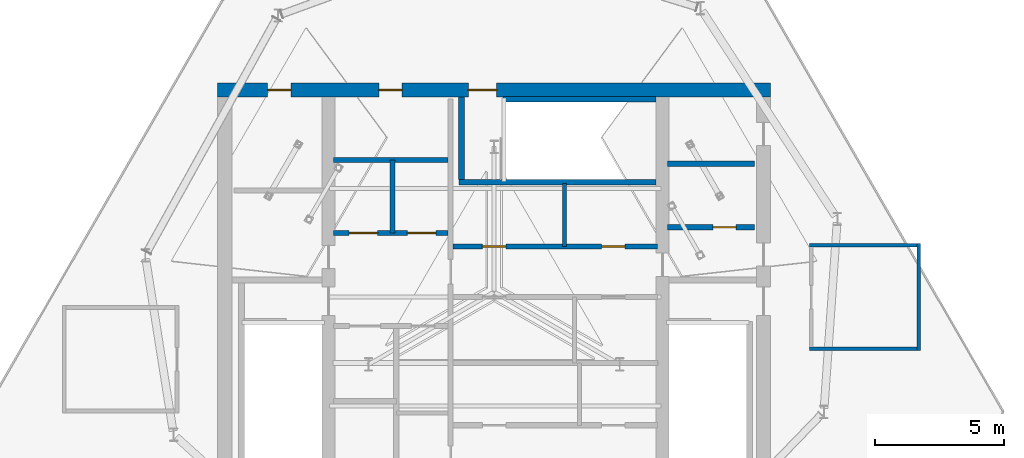
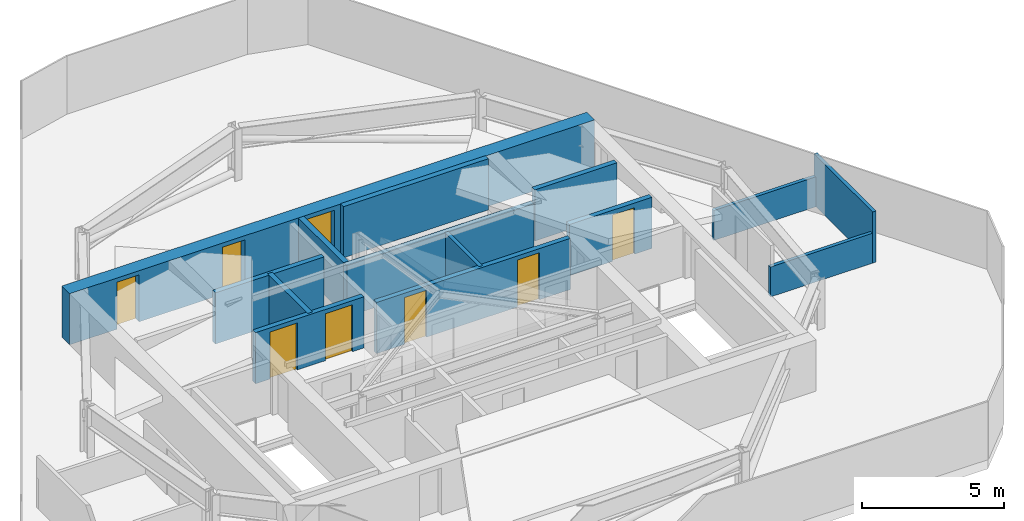
# One storey, part 8 of 9: 14 walls, 8 doors, 8 openings.
"""IFC4 building model written with IfcOpenShell, lengths in metres."""

from ifc_helpers import new_model, si_unit, direction, frame, frame_2d, origin, place, context, subcontext, project, spatial, rectangle, extrude, material, layer, layer_set, type_object, element, fill, save


model = new_model("IFC4")

# Units and contexts
model_context = context("Model", 3, precision=1e-05, world=origin(), true_north=direction((0.0, 1.0)))
body_context = subcontext(model_context, "Body", "Model", "MODEL_VIEW")
ifc_project = project(units=[si_unit("LENGTHUNIT", "METRE"), si_unit("AREAUNIT", "SQUARE_METRE"), si_unit("VOLUMEUNIT", "CUBIC_METRE"), si_unit("PLANEANGLEUNIT", "RADIAN"), si_unit("MASSUNIT", "GRAM", prefix="KILO")], contexts=[model_context])

# Site, building, storey
site_placement = place(None, origin())
site = spatial("IfcSite", under=ifc_project, at=site_placement, CompositionType="ELEMENT")
building_placement = place(site_placement, origin())
building = spatial("IfcBuilding", under=site, at=building_placement, Name="Qarnah Convention Tower", CompositionType="ELEMENT")
storey_placement = place(building_placement, frame((0.0, 0.0, 292.89990234375)))
storey = spatial("IfcBuildingStorey", under=building, at=storey_placement, Name="L79", CompositionType="ELEMENT", Elevation=292.89990234375)

# Wall, openings, doors
ifc_material_1 = material(Name="Concrete C60/75", Category="concrete")
ifc_layer_1 = layer(ifc_material_1, 0.550048828125)
ifc_layer_set_1 = layer_set([ifc_layer_1], Name="Concrete C60/75")
wall_type_1 = type_object("IfcWallType", Name="WL-CORE-550", PredefinedType="SHEAR", material=ifc_layer_set_1)
wall_1_placement = place(storey_placement, frame((26.52490234375, 34.199951171875, 0.0), z_axis=(0.0, 0.0, 1.0), x_axis=(1.0, 0.0, 0.0)))
wall_1 = element("IfcWall", 1, at=wall_1_placement, inside=storey, type_object=wall_type_1, Name="L79 core north shear wall", PredefinedType="SHEAR", context=body_context, shape_type="SweptSolid", body=[
    extrude(rectangle(XDim=21.35009765625, YDim=0.550048828125, at=frame_2d((10.675048828125, 0.0))), origin(), (0.0, 0.0, 1.0), 2.2001953125),
])
opening_1_placement = place(wall_1_placement, frame((9.675048828125, 0.0, 0.0)))
opening_1 = element("IfcOpeningElement", 2, at=opening_1_placement, cuts=wall_1, Name="Opening D-7903", PredefinedType="OPENING", context=body_context, shape_type="SweptSolid", body=[
    extrude(rectangle(XDim=1.10009765625, YDim=2.02001953125, at=frame_2d((0.550048828125, 1.010009765625))), frame((0.0, 0.284912109375, 0.0), z_axis=(0.0, -1.0, 0.0), x_axis=(1.0, 0.0, 0.0)), (0.0, 0.0, 1.0), 0.570068359375),
])
opening_2_placement = place(wall_1_placement, frame((1.925048828125, 0.0, 0.0)))
opening_2 = element("IfcOpeningElement", 3, at=opening_2_placement, cuts=wall_1, Name="Opening D-7909", PredefinedType="OPENING", context=body_context, shape_type="SweptSolid", body=[
    extrude(rectangle(XDim=0.89990234375, YDim=2.02001953125, at=frame_2d((0.449951171875, 1.010009765625))), frame((0.0, 0.284912109375, 0.0), z_axis=(0.0, -1.0, 0.0), x_axis=(1.0, 0.0, 0.0)), (0.0, 0.0, 1.0), 0.570068359375),
])
opening_3_placement = place(wall_1_placement, frame((6.22509765625, 0.0, 0.0)))
opening_3 = element("IfcOpeningElement", 4, at=opening_3_placement, cuts=wall_1, Name="Opening D-7910", PredefinedType="OPENING", context=body_context, shape_type="SweptSolid", body=[
    extrude(rectangle(XDim=0.89990234375, YDim=2.02001953125, at=frame_2d((0.449951171875, 1.010009765625))), frame((0.0, 0.284912109375, 0.0), z_axis=(0.0, -1.0, 0.0), x_axis=(1.0, 0.0, 0.0)), (0.0, 0.0, 1.0), 0.570068359375),
])
ifc_material_2 = material(Name="Structural steel S355JR", Category="steel")
door_type_1 = type_object("IfcDoorType", Name="DT-RISER-900", OperationType="NOTDEFINED", PredefinedType="DOOR", material=ifc_material_2)
door_1_placement = place(opening_2_placement, origin())
door_1 = element("IfcDoor", 5, at=door_1_placement, inside=storey, type_object=door_type_1, Name="Door D-7909", OperationType="SINGLE_SWING_LEFT", OverallHeight=2.02001953125, OverallWidth=0.89990234375, PredefinedType="DOOR", context=body_context, shape_type="SweptSolid", body=[
    extrude(rectangle(XDim=0.89990234375, YDim=2.02001953125, at=frame_2d((0.449951171875, 1.010009765625))), frame((0.0, 0.02490234375, 0.0), z_axis=(0.0, -1.0, 0.0), x_axis=(1.0, 0.0, 0.0)), (0.0, 0.0, 1.0), 0.050048828125),
])
fill(opening_2, door_1)
door_2_placement = place(opening_3_placement, origin())
door_2 = element("IfcDoor", 6, at=door_2_placement, inside=storey, type_object=door_type_1, Name="Door D-7910", OperationType="SINGLE_SWING_RIGHT", OverallHeight=2.02001953125, OverallWidth=0.89990234375, PredefinedType="DOOR", context=body_context, shape_type="SweptSolid", body=[
    extrude(rectangle(XDim=0.89990234375, YDim=2.02001953125, at=frame_2d((0.449951171875, 1.010009765625))), frame((0.0, 0.02490234375, 0.0), z_axis=(0.0, -1.0, 0.0), x_axis=(1.0, 0.0, 0.0)), (0.0, 0.0, 1.0), 0.050048828125),
])
fill(opening_3, door_2)
door_type_2 = type_object("IfcDoorType", Name="DT-STAIR-1100", OperationType="NOTDEFINED", PredefinedType="DOOR", material=ifc_material_2)
door_3_placement = place(opening_1_placement, origin())
door_3 = element("IfcDoor", 7, at=door_3_placement, inside=storey, type_object=door_type_2, Name="Door D-7903", OperationType="SINGLE_SWING_LEFT", OverallHeight=2.02001953125, OverallWidth=1.10009765625, PredefinedType="DOOR", context=body_context, shape_type="SweptSolid", body=[
    extrude(rectangle(XDim=1.10009765625, YDim=2.02001953125, at=frame_2d((0.550048828125, 1.010009765625))), frame((0.0, 0.02490234375, 0.0), z_axis=(0.0, -1.0, 0.0), x_axis=(1.0, 0.0, 0.0)), (0.0, 0.0, 1.0), 0.050048828125),
])
fill(opening_1, door_3)

# Wall, opening, door
ifc_material_3 = material(Name="Concrete C45/55", Category="concrete")
ifc_layer_2 = layer(ifc_material_3, 0.199951171875)
ifc_layer_set_2 = layer_set([ifc_layer_2], Name="Concrete C45/55")
wall_type_2 = type_object("IfcWallType", Name="WL-CORE-PART-200", PredefinedType="SOLIDWALL", material=ifc_layer_set_2)
wall_2_placement = place(storey_placement, frame((43.89990234375, 28.89990234375, 0.0), z_axis=(0.0, 0.0, 1.0), x_axis=(1.0, 0.0, 0.0)))
wall_2 = element("IfcWall", 8, at=wall_2_placement, inside=storey, type_object=wall_type_2, Name="L79 interior wall IW-L79-EVSTN", PredefinedType="SOLIDWALL", context=body_context, shape_type="SweptSolid", body=[
    extrude(rectangle(XDim=3.35009765625, YDim=0.199951171875, at=frame_2d((1.675048828125, 0.0))), origin(), (0.0, 0.0, 1.0), 2.2001953125),
])
opening_4_placement = place(wall_2_placement, frame((1.75, 0.0, 0.0)))
opening_4 = element("IfcOpeningElement", 9, at=opening_4_placement, cuts=wall_2, Name="Opening D-7911", PredefinedType="OPENING", context=body_context, shape_type="SweptSolid", body=[
    extrude(rectangle(XDim=0.89990234375, YDim=2.0, at=frame_2d((0.449951171875, 1.0))), frame((0.0, 0.10986328125, 0.0), z_axis=(0.0, -1.0, 0.0), x_axis=(1.0, 0.0, 0.0)), (0.0, 0.0, 1.0), 0.219970703125),
])
door_type_3 = type_object("IfcDoorType", Name="DT-PLANT-900", OperationType="NOTDEFINED", PredefinedType="DOOR", material=ifc_material_2)
door_4_placement = place(opening_4_placement, origin())
door_4 = element("IfcDoor", 10, at=door_4_placement, inside=storey, type_object=door_type_3, Name="Door D-7911", OperationType="SINGLE_SWING_LEFT", OverallHeight=2.0, OverallWidth=0.89990234375, PredefinedType="DOOR", context=body_context, shape_type="SweptSolid", body=[
    extrude(rectangle(XDim=0.89990234375, YDim=2.0, at=frame_2d((0.449951171875, 1.0))), frame((0.0, 0.02490234375, 0.0), z_axis=(0.0, -1.0, 0.0), x_axis=(1.0, 0.0, 0.0)), (0.0, 0.0, 1.0), 0.050048828125),
])
fill(opening_4, door_4)

# Wall
wall_3_placement = place(storey_placement, frame((43.89990234375, 31.35009765625, 0.0), z_axis=(0.0, 0.0, 1.0), x_axis=(1.0, 0.0, 0.0)))
element("IfcWall", 11, at=wall_3_placement, inside=storey, type_object=wall_type_2, Name="L79 interior wall IW-L79-WTRN", PredefinedType="SOLIDWALL", context=body_context, shape_type="SweptSolid", body=[
    extrude(rectangle(XDim=3.35009765625, YDim=0.199951171875, at=frame_2d((1.675048828125, 0.0))), origin(), (0.0, 0.0, 1.0), 2.2001953125),
])

# Wall, openings, doors
wall_4_placement = place(storey_placement, frame((31.0, 28.679931640625, 0.0), z_axis=(0.0, 0.0, 1.0), x_axis=(1.0, 0.0, 0.0)))
wall_4 = element("IfcWall", 12, at=wall_4_placement, inside=storey, type_object=wall_type_2, Name="L79 interior wall IW-L79-FFLS", PredefinedType="SOLIDWALL", context=body_context, shape_type="SweptSolid", body=[
    extrude(rectangle(XDim=4.419921875, YDim=0.199951171875, at=frame_2d((2.2099609375, 0.0))), origin(), (0.0, 0.0, 1.0), 2.2001953125),
])
opening_5_placement = place(wall_4_placement, frame((0.60009765625, 0.0, 0.0)))
opening_5 = element("IfcOpeningElement", 13, at=opening_5_placement, cuts=wall_4, Name="Opening LD-7901", PredefinedType="OPENING", context=body_context, shape_type="SweptSolid", body=[
    extrude(rectangle(XDim=1.10009765625, YDim=2.02001953125, at=frame_2d((0.550048828125, 1.010009765625))), frame((0.0, 0.10986328125, 0.0), z_axis=(0.0, -1.0, 0.0), x_axis=(1.0, 0.0, 0.0)), (0.0, 0.0, 1.0), 0.219970703125),
])
opening_6_placement = place(wall_4_placement, frame((2.85009765625, 0.0, 0.0)))
opening_6 = element("IfcOpeningElement", 14, at=opening_6_placement, cuts=wall_4, Name="Opening LD-7902", PredefinedType="OPENING", context=body_context, shape_type="SweptSolid", body=[
    extrude(rectangle(XDim=1.10009765625, YDim=2.02001953125, at=frame_2d((0.550048828125, 1.010009765625))), frame((0.0, 0.10986328125, 0.0), z_axis=(0.0, -1.0, 0.0), x_axis=(1.0, 0.0, 0.0)), (0.0, 0.0, 1.0), 0.219970703125),
])
door_type_4 = type_object("IfcDoorType", Name="DT-LIFT-1100", OperationType="SLIDING_TO_LEFT", PredefinedType="DOOR", material=ifc_material_2)
door_5_placement = place(opening_5_placement, origin())
door_5 = element("IfcDoor", 15, at=door_5_placement, inside=storey, type_object=door_type_4, Name="Door LD-7901", OperationType="SLIDING_TO_LEFT", OverallHeight=2.02001953125, OverallWidth=1.10009765625, PredefinedType="DOOR", context=body_context, shape_type="SweptSolid", body=[
    extrude(rectangle(XDim=1.10009765625, YDim=2.02001953125, at=frame_2d((0.550048828125, 1.010009765625))), frame((0.0, 0.02490234375, 0.0), z_axis=(0.0, -1.0, 0.0), x_axis=(1.0, 0.0, 0.0)), (0.0, 0.0, 1.0), 0.050048828125),
])
fill(opening_5, door_5)
door_6_placement = place(opening_6_placement, origin())
door_6 = element("IfcDoor", 16, at=door_6_placement, inside=storey, type_object=door_type_4, Name="Door LD-7902", OperationType="SLIDING_TO_LEFT", OverallHeight=2.02001953125, OverallWidth=1.10009765625, PredefinedType="DOOR", context=body_context, shape_type="SweptSolid", body=[
    extrude(rectangle(XDim=1.10009765625, YDim=2.02001953125, at=frame_2d((0.550048828125, 1.010009765625))), frame((0.0, 0.02490234375, 0.0), z_axis=(0.0, -1.0, 0.0), x_axis=(1.0, 0.0, 0.0)), (0.0, 0.0, 1.0), 0.050048828125),
])
fill(opening_6, door_6)

# Walls
wall_5_placement = place(storey_placement, frame((31.0, 31.5, 0.0), z_axis=(0.0, 0.0, 1.0), x_axis=(1.0, 0.0, 0.0)))
element("IfcWall", 17, at=wall_5_placement, inside=storey, type_object=wall_type_2, Name="L79 interior wall IW-L79-FFLN", PredefinedType="SOLIDWALL", context=body_context, shape_type="SweptSolid", body=[
    extrude(rectangle(XDim=4.419921875, YDim=0.199951171875, at=frame_2d((2.2099609375, 0.0))), origin(), (0.0, 0.0, 1.0), 2.2001953125),
])
wall_6_placement = place(storey_placement, frame((33.280029296875, 28.679931640625, 0.0), z_axis=(0.0, 0.0, 1.0), x_axis=(0.0, 1.0, 0.0)))
element("IfcWall", 18, at=wall_6_placement, inside=storey, type_object=wall_type_2, Name="L79 interior wall IW-L79-FFLM", PredefinedType="SOLIDWALL", context=body_context, shape_type="SweptSolid", body=[
    extrude(rectangle(XDim=2.820068359375, YDim=0.199951171875, at=frame_2d((1.41015625, 0.0))), origin(), (0.0, 0.0, 1.0), 2.2001953125),
])

# Wall, openings, doors
wall_7_placement = place(storey_placement, frame((35.6201171875, 28.14990234375, 0.0), z_axis=(0.0, 0.0, 1.0), x_axis=(1.0, 0.0, 0.0)))
wall_7 = element("IfcWall", 19, at=wall_7_placement, inside=storey, type_object=wall_type_2, Name="L79 interior wall IW-L79-PHS", PredefinedType="SOLIDWALL", context=body_context, shape_type="SweptSolid", body=[
    extrude(rectangle(XDim=7.8798828125, YDim=0.199951171875, at=frame_2d((3.93994140625, 0.0))), origin(), (0.0, 0.0, 1.0), 2.2001953125),
])
opening_7_placement = place(wall_7_placement, frame((1.1298828125, 0.0, 0.0)))
opening_7 = element("IfcOpeningElement", 20, at=opening_7_placement, cuts=wall_7, Name="Opening D-7920", PredefinedType="OPENING", context=body_context, shape_type="SweptSolid", body=[
    extrude(rectangle(XDim=0.89990234375, YDim=2.02001953125, at=frame_2d((0.449951171875, 1.010009765625))), frame((0.0, 0.10986328125, 0.0), z_axis=(0.0, -1.0, 0.0), x_axis=(1.0, 0.0, 0.0)), (0.0, 0.0, 1.0), 0.219970703125),
])
opening_8_placement = place(wall_7_placement, frame((5.72998046875, 0.0, 0.0)))
opening_8 = element("IfcOpeningElement", 21, at=opening_8_placement, cuts=wall_7, Name="Opening D-7921", PredefinedType="OPENING", context=body_context, shape_type="SweptSolid", body=[
    extrude(rectangle(XDim=0.89990234375, YDim=2.02001953125, at=frame_2d((0.449951171875, 1.010009765625))), frame((0.0, 0.10986328125, 0.0), z_axis=(0.0, -1.0, 0.0), x_axis=(1.0, 0.0, 0.0)), (0.0, 0.0, 1.0), 0.219970703125),
])
door_7_placement = place(opening_7_placement, origin())
door_7 = element("IfcDoor", 22, at=door_7_placement, inside=storey, type_object=door_type_1, Name="Door D-7920", OperationType="SINGLE_SWING_RIGHT", OverallHeight=2.02001953125, OverallWidth=0.89990234375, PredefinedType="DOOR", context=body_context, shape_type="SweptSolid", body=[
    extrude(rectangle(XDim=0.89990234375, YDim=2.02001953125, at=frame_2d((0.449951171875, 1.010009765625))), frame((0.0, 0.02490234375, 0.0), z_axis=(0.0, -1.0, 0.0), x_axis=(1.0, 0.0, 0.0)), (0.0, 0.0, 1.0), 0.050048828125),
])
fill(opening_7, door_7)
door_8_placement = place(opening_8_placement, origin())
door_8 = element("IfcDoor", 23, at=door_8_placement, inside=storey, type_object=door_type_1, Name="Door D-7921", OperationType="SINGLE_SWING_LEFT", OverallHeight=2.02001953125, OverallWidth=0.89990234375, PredefinedType="DOOR", context=body_context, shape_type="SweptSolid", body=[
    extrude(rectangle(XDim=0.89990234375, YDim=2.02001953125, at=frame_2d((0.449951171875, 1.010009765625))), frame((0.0, 0.02490234375, 0.0), z_axis=(0.0, -1.0, 0.0), x_axis=(1.0, 0.0, 0.0)), (0.0, 0.0, 1.0), 0.050048828125),
])
fill(opening_8, door_8)

# Walls
ifc_layer_3 = layer(ifc_material_1, 0.219970703125)
ifc_layer_set_3 = layer_set([ifc_layer_3], Name="Concrete C60/75")
wall_type_3 = type_object("IfcWallType", Name="WL-CORE-STAIR-220", PredefinedType="SHEAR", material=ifc_layer_set_3)
wall_8_placement = place(storey_placement, frame((35.840087890625, 30.639892578125, 0.0), z_axis=(0.0, 0.0, 1.0), x_axis=(1.0, 0.0, 0.0)))
element("IfcWall", 24, at=wall_8_placement, inside=storey, type_object=wall_type_3, Name="L79 stair shaft shear wall SW-L79-ST3S", PredefinedType="SHEAR", context=body_context, shape_type="SweptSolid", body=[
    extrude(rectangle(XDim=7.60986328125, YDim=0.219970703125, at=frame_2d((3.804931640625, 0.0))), origin(), (0.0, 0.0, 1.0), 2.2001953125),
])
wall_9_placement = place(storey_placement, frame((35.93994140625, 30.75, 0.0), z_axis=(0.0, 0.0, 1.0), x_axis=(0.0, 1.0, 0.0)))
element("IfcWall", 25, at=wall_9_placement, inside=storey, type_object=wall_type_3, Name="L79 stair shaft shear wall SW-L79-ST3W", PredefinedType="SHEAR", context=body_context, shape_type="SweptSolid", body=[
    extrude(rectangle(XDim=3.175048828125, YDim=0.219970703125, at=frame_2d((1.58740234375, 0.0))), origin(), (0.0, 0.0, 1.0), 2.2001953125),
])
wall_10_placement = place(storey_placement, frame((37.550048828125, 33.840087890625, 0.0), z_axis=(0.0, 0.0, 1.0), x_axis=(1.0, 0.0, 0.0)))
element("IfcWall", 26, at=wall_10_placement, inside=storey, type_object=wall_type_3, Name="L79 stair shaft shear wall SW-L79-ST3N", PredefinedType="SHEAR", context=body_context, shape_type="SweptSolid", body=[
    extrude(rectangle(XDim=5.89990234375, YDim=0.219970703125, at=frame_2d((2.949951171875, 0.0))), origin(), (0.0, 0.0, 1.0), 2.2001953125),
])
ifc_material_4 = material(Name="Gypsum partition board")
ifc_layer_4 = layer(ifc_material_4, 0.14990234375)
ifc_layer_set_4 = layer_set([ifc_layer_4], Name="Gypsum partition board")
wall_type_4 = type_object("IfcWallType", Name="WL-SUITE-150", PredefinedType="PARTITIONING", material=ifc_layer_set_4)
wall_11_placement = place(storey_placement, frame((39.919921875, 28.14990234375, 0.0), z_axis=(0.0, 0.0, 1.0), x_axis=(0.0, 1.0, 0.0)))
element("IfcWall", 27, at=wall_11_placement, inside=storey, type_object=wall_type_4, Name="L79 interior wall IW-L79-PHFD", PredefinedType="PARTITIONING", context=body_context, shape_type="SweptSolid", body=[
    extrude(rectangle(XDim=2.43017578125, YDim=0.14990234375, at=frame_2d((1.215087890625, 0.0))), origin(), (0.0, 0.0, 1.0), 2.2001953125),
])
ifc_layer_5 = layer(ifc_material_4, 0.139892578125)
ifc_layer_set_5 = layer_set([ifc_layer_5], Name="Gypsum partition board")
wall_type_5 = type_object("IfcWallType", Name="WL-WET-140", PredefinedType="PARTITIONING", material=ifc_layer_set_5)
wall_12_placement = place(storey_placement, frame((49.3798828125, 24.199951171875, 0.0), z_axis=(0.0, 0.0, 1.0), x_axis=(1.0, 0.0, 0.0)))
element("IfcWall", 28, at=wall_12_placement, inside=storey, type_object=wall_type_5, Name="L79 interior wall IW-L79-SWGP-1", PredefinedType="PARTITIONING", context=body_context, shape_type="SweptSolid", body=[
    extrude(rectangle(XDim=4.2900390625, YDim=0.139892578125, at=frame_2d((2.14501953125, 0.0))), origin(), (0.0, 0.0, 1.0), 1.28515625),
])
wall_13_placement = place(storey_placement, frame((53.60009765625, 24.1298828125, 0.0), z_axis=(0.0, 0.0, 1.0), x_axis=(0.0, 1.0, 0.0)))
element("IfcWall", 29, at=wall_13_placement, inside=storey, type_object=wall_type_5, Name="L79 interior wall IW-L79-SWGP-2", PredefinedType="PARTITIONING", context=body_context, shape_type="SweptSolid", body=[
    extrude(rectangle(XDim=4.14013671875, YDim=0.139892578125, at=frame_2d((2.070068359375, 0.0))), origin(), (0.0, 0.0, 1.0), 2.2001953125),
])
wall_14_placement = place(storey_placement, frame((53.669921875, 28.199951171875, 0.0), z_axis=(0.0, 0.0, 1.0), x_axis=(-1.0, 0.0, 0.0)))
element("IfcWall", 30, at=wall_14_placement, inside=storey, type_object=wall_type_5, Name="L79 interior wall IW-L79-SWGP-3", PredefinedType="PARTITIONING", context=body_context, shape_type="SweptSolid", body=[
    extrude(rectangle(XDim=4.2900390625, YDim=0.139892578125, at=frame_2d((2.14501953125, 0.0))), origin(), (0.0, 0.0, 1.0), 1.28515625),
])

save(model, "model.ifc")
